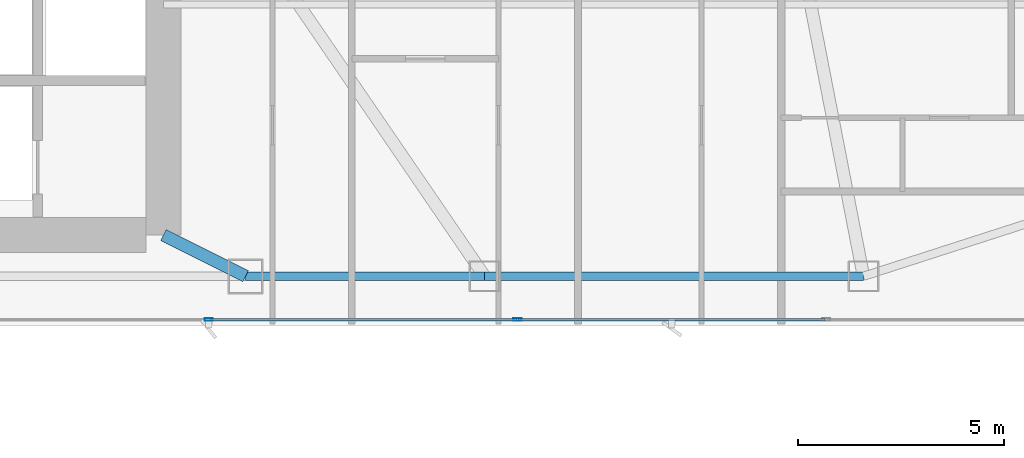
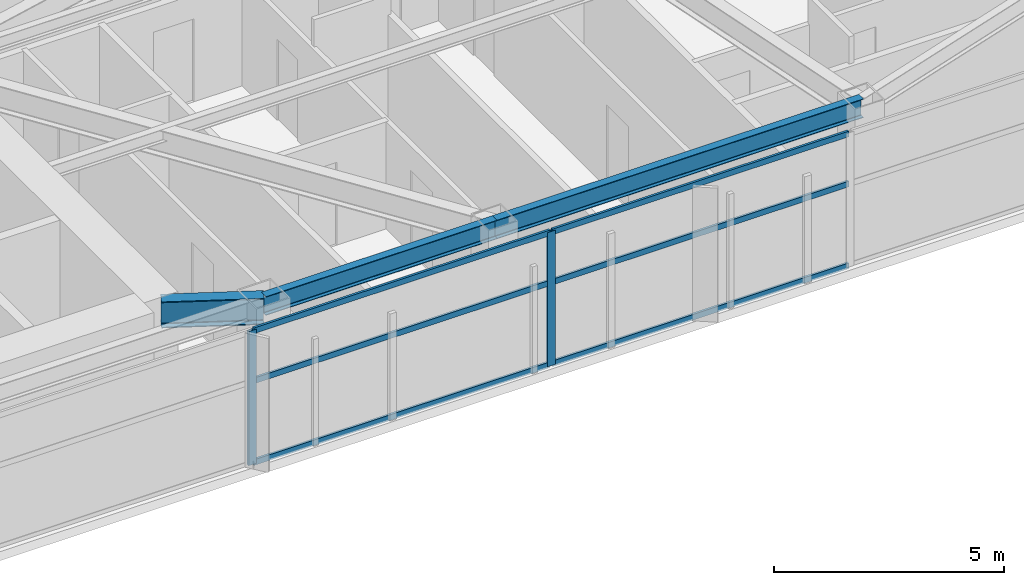
# One storey, part 12 of 28: 8 members, 3 beams, 1 element without a shape of its own.
"""IFC4 building model written with IfcOpenShell, lengths in metres."""

from ifc_helpers import new_model, si_unit, direction, frame, origin, origin_2d, place, context, subcontext, project, spatial, hollow_rectangle, i_section, extrude, material, layer, layer_set, material_profile, profile_set, type_object, element, aggregate, save


model = new_model("IFC4")

# Units and contexts
model_context = context("Model", 3, precision=1e-05, world=origin(), true_north=direction((0.0, 1.0)))
body_context = subcontext(model_context, "Body", "Model", "MODEL_VIEW")
ifc_project = project(units=[si_unit("LENGTHUNIT", "METRE"), si_unit("AREAUNIT", "SQUARE_METRE"), si_unit("VOLUMEUNIT", "CUBIC_METRE"), si_unit("PLANEANGLEUNIT", "RADIAN"), si_unit("MASSUNIT", "GRAM", prefix="KILO")], contexts=[model_context])

# Site, building, storey
site_placement = place(None, origin())
site = spatial("IfcSite", under=ifc_project, at=site_placement, CompositionType="ELEMENT")
building_placement = place(site_placement, origin())
building = spatial("IfcBuilding", under=site, at=building_placement, Name="Calvorn Quay Hotel", CompositionType="ELEMENT")
storey_placement = place(building_placement, frame((0.0, 0.0, 108.800048828125)))
storey = spatial("IfcBuildingStorey", under=building, at=storey_placement, Name="L26", CompositionType="ELEMENT", Elevation=108.800048828125)

# Beams
ifc_material_1 = material(Name="Steel Q390GJC", Category="steel")
ifc_material_profile_1 = material_profile(ifc_material_1, i_section(OverallWidth=0.300048828125, OverallDepth=0.699951171875, WebThickness=0.012939453125, FlangeThickness=0.02392578125, FilletRadius=0.02392578125, at=origin_2d()), Name="HN700x300x13x24")
ifc_profile_set_1 = profile_set([ifc_material_profile_1], Name="Steel Q390GJC")
beam_type_1 = type_object("IfcBeamType", Name="BM-GIRD-MAIN", PredefinedType="BEAM", material=ifc_profile_set_1)
beam_1_placement = place(storey_placement, frame((34.39990234375, 3.60009765625, 3.18994140625), z_axis=(-0.894427191, 0.4472135955, 0.0), x_axis=(-0.4472135955, -0.894427191, 0.0)))
element("IfcBeam", 1, at=beam_1_placement, inside=storey, type_object=beam_type_1, Name="Beam BG-L26-S3", PredefinedType="BEAM", context=body_context, shape_type="SweptSolid", body=[
    extrude(i_section(OverallWidth=0.300048828125, OverallDepth=0.699951171875, WebThickness=0.012939453125, FlangeThickness=0.02392578125, FilletRadius=0.02392578125, at=origin_2d()), origin(), (0.0, 0.0, 1.0), 2.236083984375),
])
ifc_material_2 = material(Name="Steel Q355B", Category="steel")
ifc_material_profile_2 = material_profile(ifc_material_2, i_section(OverallWidth=0.199951171875, OverallDepth=0.5, WebThickness=0.010009765625, FlangeThickness=0.01611328125, FilletRadius=0.01611328125, at=origin_2d()), Name="HN500x200x10x16")
ifc_profile_set_2 = profile_set([ifc_material_profile_2], Name="Steel Q355B")
beam_type_2 = type_object("IfcBeamType", Name="BM-SPANDREL-Z1", PredefinedType="SPANDREL", material=ifc_profile_set_2)
beam_2_placement = place(storey_placement, frame((34.39990234375, 3.60009765625, 3.2900390625), z_axis=(1.0, 0.0, 0.0), x_axis=(0.0, 1.0, 0.0)))
element("IfcBeam", 2, at=beam_2_placement, inside=storey, type_object=beam_type_2, Name="Beam BSP-L26-S4", PredefinedType="SPANDREL", context=body_context, shape_type="SweptSolid", body=[
    extrude(i_section(OverallWidth=0.199951171875, OverallDepth=0.5, WebThickness=0.010009765625, FlangeThickness=0.01611328125, FilletRadius=0.01611328125, at=origin_2d()), origin(), (0.0, 0.0, 1.0), 5.800048828125),
])
beam_3_placement = place(storey_placement, frame((40.199951171875, 3.60009765625, 3.2900390625), z_axis=(1.0, 0.0, 0.0), x_axis=(0.0, 1.0, 0.0)))
element("IfcBeam", 3, at=beam_3_placement, inside=storey, type_object=beam_type_2, Name="Beam BSP-L26-S5", PredefinedType="SPANDREL", context=body_context, shape_type="SweptSolid", body=[
    extrude(i_section(OverallWidth=0.199951171875, OverallDepth=0.5, WebThickness=0.010009765625, FlangeThickness=0.01611328125, FilletRadius=0.01611328125, at=origin_2d()), origin(), (0.0, 0.0, 1.0), 9.199951171875),
])

# Curtain wall, members
ifc_material_3 = material(Name="Pale Anodised Aluminium and Low-E Glass", Category="aluminium")
ifc_layer = layer(ifc_material_3, 0.219970703125)
ifc_layer_set = layer_set([ifc_layer], Name="CW-SYS-Z2")
curtain_wall_type = type_object("IfcCurtainWallType", Name="CW-SYS-Z2", PredefinedType="NOTDEFINED", material=ifc_layer_set)
curtain_wall_placement = place(storey_placement, origin())
curtain_wall = element("IfcCurtainWall", 4, at=curtain_wall_placement, inside=storey, type_object=curtain_wall_type, Name="Tower South Waterfront Curtain Wall (L26)", PredefinedType="NOTDEFINED")
ifc_material_4 = material(Name="Pale Anodised Aluminium 6063-T6", Category="aluminium")
ifc_material_profile_3 = material_profile(ifc_material_4, hollow_rectangle(XDim=0.070068359375, YDim=0.199951171875, WallThickness=0.00390625, at=origin_2d()), Name="ALU-M200x70x4")
ifc_profile_set_3 = profile_set([ifc_material_profile_3], Name="Pale Anodised Aluminium 6063-T6")
member_type_1 = type_object("IfcMemberType", Name="CW-SYS-Z2-MUL", PredefinedType="MULLION", material=ifc_profile_set_3)
member_1_placement = place(storey_placement, frame((33.5, 2.550048828125, 0.0), z_axis=(0.0, 0.0, 1.0), x_axis=(0.0, 1.0, 0.0)))
member_1 = element("IfcMember", 5, at=member_1_placement, type_object=member_type_1, Name="CW-L26-S mullion 4", PredefinedType="MULLION", context=body_context, shape_type="SweptSolid", body=[
    extrude(hollow_rectangle(XDim=0.070068359375, YDim=0.199951171875, WallThickness=0.00390625, at=origin_2d()), origin(), (0.0, 0.0, 1.0), 3.56005859375),
])
member_2_placement = place(storey_placement, frame((41.0, 2.550048828125, 0.0), z_axis=(0.0, 0.0, 1.0), x_axis=(0.0, 1.0, 0.0)))
member_2 = element("IfcMember", 6, at=member_2_placement, type_object=member_type_1, Name="CW-L26-S mullion 5", PredefinedType="MULLION", context=body_context, shape_type="SweptSolid", body=[
    extrude(hollow_rectangle(XDim=0.070068359375, YDim=0.199951171875, WallThickness=0.00390625, at=origin_2d()), origin(), (0.0, 0.0, 1.0), 3.56005859375),
])
ifc_material_5 = material(Name="Pale Anodised Aluminium 6063-T6", Category="aluminium")
ifc_material_profile_4 = material_profile(ifc_material_5, hollow_rectangle(XDim=0.06005859375, YDim=0.14990234375, WallThickness=0.00341796875, at=origin_2d()), Name="ALU-T150x60x3.5")
ifc_profile_set_4 = profile_set([ifc_material_profile_4], Name="Pale Anodised Aluminium 6063-T6")
member_type_2 = type_object("IfcMemberType", Name="CW-SYS-Z2-TRN", PredefinedType="USERDEFINED", material=ifc_profile_set_4)
member_3_placement = place(storey_placement, frame((33.530029296875, 2.550048828125, 0.030029296875), z_axis=(1.0, 0.0, 0.0), x_axis=(0.0, 1.0, 0.0)))
member_3 = element("IfcMember", 7, at=member_3_placement, type_object=member_type_2, Name="CW-L26-S transom 4.1", ObjectType="TRANSOM", PredefinedType="USERDEFINED", context=body_context, shape_type="SweptSolid", body=[
    extrude(hollow_rectangle(XDim=0.06005859375, YDim=0.14990234375, WallThickness=0.00341796875, at=origin_2d()), origin(), (0.0, 0.0, 1.0), 7.43994140625),
])
member_4_placement = place(storey_placement, frame((33.530029296875, 2.550048828125, 2.199951171875), z_axis=(1.0, 0.0, 0.0), x_axis=(0.0, 1.0, 0.0)))
member_4 = element("IfcMember", 8, at=member_4_placement, type_object=member_type_2, Name="CW-L26-S transom 4.2", ObjectType="TRANSOM", PredefinedType="USERDEFINED", context=body_context, shape_type="SweptSolid", body=[
    extrude(hollow_rectangle(XDim=0.06005859375, YDim=0.14990234375, WallThickness=0.00341796875, at=origin_2d()), origin(), (0.0, 0.0, 1.0), 7.43994140625),
])
member_5_placement = place(storey_placement, frame((33.530029296875, 2.550048828125, 3.530029296875), z_axis=(1.0, 0.0, 0.0), x_axis=(0.0, 1.0, 0.0)))
member_5 = element("IfcMember", 9, at=member_5_placement, type_object=member_type_2, Name="CW-L26-S transom 4.3", ObjectType="TRANSOM", PredefinedType="USERDEFINED", context=body_context, shape_type="SweptSolid", body=[
    extrude(hollow_rectangle(XDim=0.06005859375, YDim=0.14990234375, WallThickness=0.00341796875, at=origin_2d()), origin(), (0.0, 0.0, 1.0), 7.43994140625),
])
member_6_placement = place(storey_placement, frame((41.030029296875, 2.550048828125, 0.030029296875), z_axis=(1.0, 0.0, 0.0), x_axis=(0.0, 1.0, 0.0)))
member_6 = element("IfcMember", 10, at=member_6_placement, type_object=member_type_2, Name="CW-L26-S transom 5.1", ObjectType="TRANSOM", PredefinedType="USERDEFINED", context=body_context, shape_type="SweptSolid", body=[
    extrude(hollow_rectangle(XDim=0.06005859375, YDim=0.14990234375, WallThickness=0.00341796875, at=origin_2d()), origin(), (0.0, 0.0, 1.0), 7.43994140625),
])
member_7_placement = place(storey_placement, frame((41.030029296875, 2.550048828125, 2.199951171875), z_axis=(1.0, 0.0, 0.0), x_axis=(0.0, 1.0, 0.0)))
member_7 = element("IfcMember", 11, at=member_7_placement, type_object=member_type_2, Name="CW-L26-S transom 5.2", ObjectType="TRANSOM", PredefinedType="USERDEFINED", context=body_context, shape_type="SweptSolid", body=[
    extrude(hollow_rectangle(XDim=0.06005859375, YDim=0.14990234375, WallThickness=0.00341796875, at=origin_2d()), origin(), (0.0, 0.0, 1.0), 7.43994140625),
])
member_8_placement = place(storey_placement, frame((41.030029296875, 2.550048828125, 3.530029296875), z_axis=(1.0, 0.0, 0.0), x_axis=(0.0, 1.0, 0.0)))
member_8 = element("IfcMember", 12, at=member_8_placement, type_object=member_type_2, Name="CW-L26-S transom 5.3", ObjectType="TRANSOM", PredefinedType="USERDEFINED", context=body_context, shape_type="SweptSolid", body=[
    extrude(hollow_rectangle(XDim=0.06005859375, YDim=0.14990234375, WallThickness=0.00341796875, at=origin_2d()), origin(), (0.0, 0.0, 1.0), 7.43994140625),
])
aggregate(curtain_wall, [member_1, member_2, member_3, member_4, member_5, member_6, member_7, member_8])

save(model, "model.ifc")
